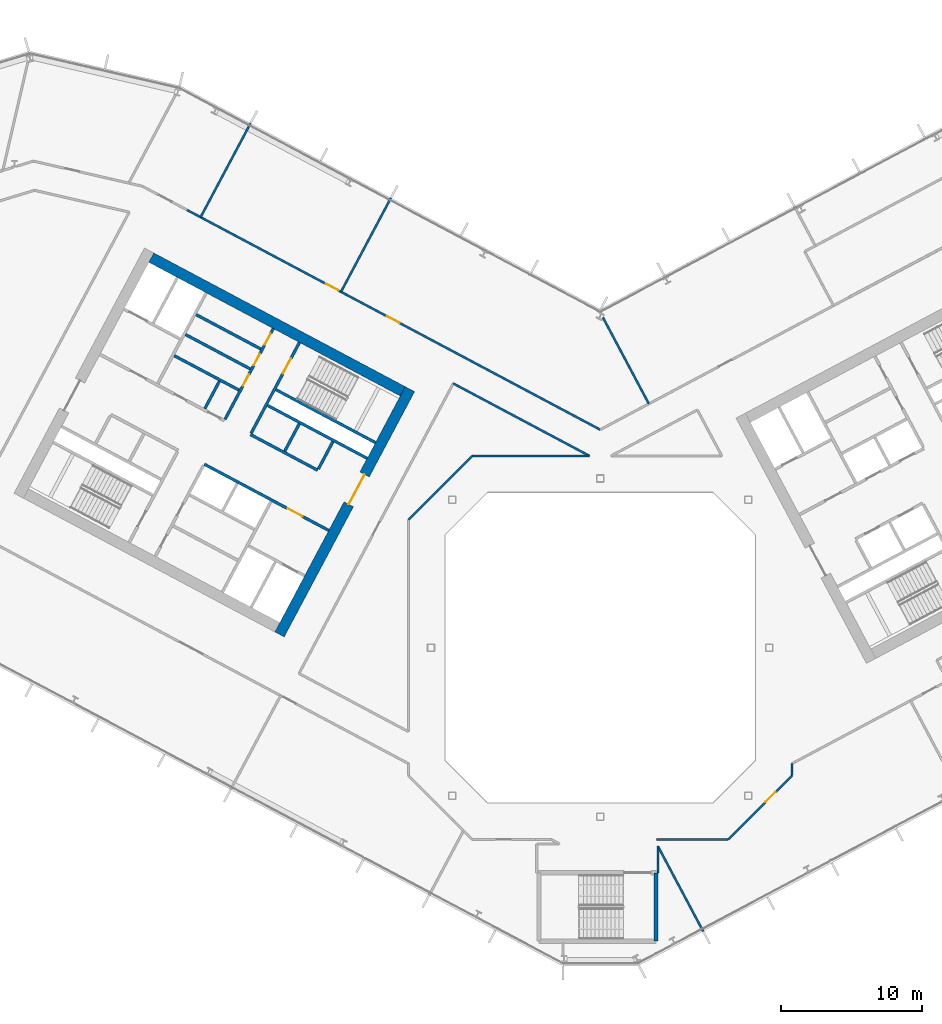
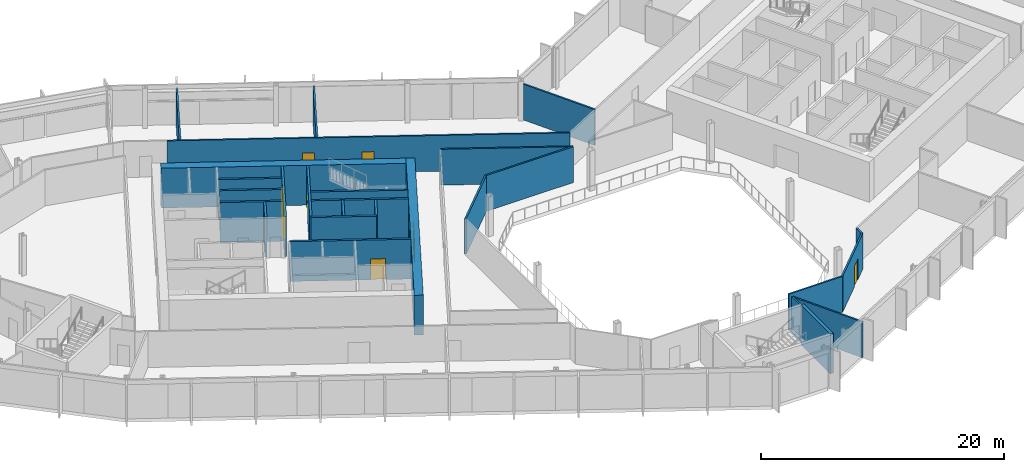
# One storey, part 15 of 28: 27 walls, 9 doors, 9 openings.
"""IFC4 building model written with IfcOpenShell, lengths in metres."""

from ifc_helpers import new_model, si_unit, direction, frame, frame_2d, origin, place, context, subcontext, project, spatial, rectangle, extrude, material, layer, layer_set, type_object, element, fill, save


model = new_model("IFC4")

# Units and contexts
model_context = context("Model", 3, precision=1e-05, world=origin(), true_north=direction((0.0, 1.0)))
body_context = subcontext(model_context, "Body", "Model", "MODEL_VIEW")
ifc_project = project(units=[si_unit("LENGTHUNIT", "METRE"), si_unit("AREAUNIT", "SQUARE_METRE"), si_unit("VOLUMEUNIT", "CUBIC_METRE"), si_unit("PLANEANGLEUNIT", "RADIAN"), si_unit("MASSUNIT", "GRAM", prefix="KILO")], contexts=[model_context])

# Site, building, storey
site_placement = place(None, origin())
site = spatial("IfcSite", under=ifc_project, at=site_placement, CompositionType="ELEMENT")
building_placement = place(site_placement, origin())
building = spatial("IfcBuilding", under=site, at=building_placement, Name="Cormorant Relay Tower", CompositionType="ELEMENT")
storey_placement = place(building_placement, frame((0.0, 0.0, 174.199951171875)))
storey = spatial("IfcBuildingStorey", under=building, at=storey_placement, Name="L37", CompositionType="ELEMENT", Elevation=174.199951171875)

# Walls
ifc_material_1 = material(Name="Concrete 40 MPa", Category="concrete")
ifc_layer_1 = layer(ifc_material_1, 0.199951171875)
ifc_layer_set_1 = layer_set([ifc_layer_1], Name="Core internal wall 200")
wall_type_1 = type_object("IfcWallType", Name="Core internal wall 200", PredefinedType="SOLIDWALL", material=ifc_layer_set_1)
for number, where, z_axis, x_axis, name in (
    (1, (-21.34375, 15.87890625, 0.0), (0.0, 0.0, 1.0), (-0.4694473164, -0.882960484464, 0.0), "L37 core A shaft and room wall"),
    (2, (-27.01220703125, 18.892822265625, 0.0), (0.0, 0.0, 1.0), (-0.4694473164, -0.882960484464, 0.0), "L37 core A shaft and room wall"),
):
    element("IfcWall", number, at=place(storey_placement, frame(where, z_axis=z_axis, x_axis=x_axis)), inside=storey, type_object=wall_type_1, Name=name, PredefinedType="SOLIDWALL", context=body_context, shape_type="SweptSolid", body=[
        extrude(rectangle(XDim=2.199951171875, YDim=0.199951171875, at=frame_2d((1.10009765625, 0.0))), origin(), (0.0, 0.0, 1.0), 4.0),
    ])
for number, where, z_axis, x_axis, name in (
    (3, (-24.073974609375, 21.181396484375, 0.0), (0.0, 0.0, 1.0), (-0.882953967957, 0.469459572775, 0.0), "L37 core A shaft and room wall"),
    (4, (-24.824951171875, 19.7685546875, 0.0), (0.0, 0.0, 1.0), (-0.882934506056, 0.469496174655, 0.0), "L37 core A shaft and room wall"),
):
    element("IfcWall", number, at=place(storey_placement, frame(where, z_axis=z_axis, x_axis=x_axis)), inside=storey, type_object=wall_type_1, Name=name, PredefinedType="SOLIDWALL", context=body_context, shape_type="SweptSolid", body=[
        extrude(rectangle(XDim=5.199951171875, YDim=0.199951171875, at=frame_2d((2.60009765625, 0.0))), origin(), (0.0, 0.0, 1.0), 4.0),
    ])
ifc_material_2 = material(Name="Concrete 50 MPa", Category="concrete")
ifc_layer_2 = layer(ifc_material_2, 0.199951171875)
ifc_layer_set_2 = layer_set([ifc_layer_2], Name="Core shaft wall 200")
wall_type_2 = type_object("IfcWallType", Name="Core shaft wall 200", PredefinedType="SHEAR", material=ifc_layer_set_2)
wall_1_placement = place(storey_placement, frame((-18.959716796875, 14.611328125, 0.0), z_axis=(0.0, 0.0, 1.0), x_axis=(-0.4694473164, -0.882960484464, 0.0)))
element("IfcWall", 5, at=wall_1_placement, inside=storey, type_object=wall_type_2, Name="L37 core A shaft wall", PredefinedType="SHEAR", context=body_context, shape_type="SweptSolid", body=[
    extrude(rectangle(XDim=2.199951171875, YDim=0.199951171875, at=frame_2d((1.10009765625, 0.0))), origin(), (0.0, 0.0, 1.0), 4.0),
])

# Wall, opening, door
wall_2_placement = place(storey_placement, frame((-21.333251953125, 21.6494140625, 0.0), z_axis=(0.0, 0.0, 1.0), x_axis=(-0.469494272526, -0.882935517501, 0.0)))
wall_2 = element("IfcWall", 6, at=wall_2_placement, inside=storey, type_object=wall_type_2, Name="L37 core A shaft wall", PredefinedType="SHEAR", context=body_context, shape_type="SweptSolid", body=[
    extrude(rectangle(XDim=7.2998046875, YDim=0.199951171875, at=frame_2d((3.64990234375, 0.0))), origin(), (0.0, 0.0, 1.0), 4.0),
])
opening_1_placement = place(wall_2_placement, frame((1.300048828125, 0.0, 0.0)))
opening_1 = element("IfcOpeningElement", 7, at=opening_1_placement, cuts=wall_2, Name="Opening CDB-034", PredefinedType="OPENING", context=body_context, shape_type="SweptSolid", body=[
    extrude(rectangle(XDim=1.199951171875, YDim=2.10009765625, at=frame_2d((0.60009765625, 1.050048828125))), frame((0.0, 0.10986328125, 0.0), z_axis=(0.0, -1.0, 0.0), x_axis=(1.0, 0.0, 0.0)), (0.0, 0.0, 1.0), 0.219970703125),
])
ifc_material_3 = material(Name="Steel fire door", Category="steel")
door_type_1 = type_object("IfcDoorType", Name="Core stair door 1200x2100", OperationType="SINGLE_SWING_LEFT", PredefinedType="DOOR", material=ifc_material_3)
door_1_placement = place(opening_1_placement, origin())
door_1 = element("IfcDoor", 8, at=door_1_placement, inside=storey, type_object=door_type_1, Name="Core stair door 1200x2100", OperationType="SINGLE_SWING_RIGHT", OverallHeight=2.10009765625, OverallWidth=1.199951171875, PredefinedType="DOOR", context=body_context, shape_type="SweptSolid", body=[
    extrude(rectangle(XDim=1.199951171875, YDim=2.10009765625, at=frame_2d((0.60009765625, 1.050048828125))), frame((0.0, 0.02490234375, 0.0), z_axis=(0.0, -1.0, 0.0), x_axis=(1.0, 0.0, 0.0)), (0.0, 0.0, 1.0), 0.050048828125),
])
fill(opening_1, door_1)

# Wall, openings, doors
wall_3_placement = place(storey_placement, frame((-23.1875, 22.635498046875, 0.0), z_axis=(0.0, 0.0, 1.0), x_axis=(-0.469454336211, -0.882956752176, 0.0)))
wall_3 = element("IfcWall", 9, at=wall_3_placement, inside=storey, type_object=wall_type_2, Name="L37 core A shaft wall", PredefinedType="SHEAR", context=body_context, shape_type="SweptSolid", body=[
    extrude(rectangle(XDim=7.300048828125, YDim=0.199951171875, at=frame_2d((3.64990234375, 0.0))), origin(), (0.0, 0.0, 1.0), 4.0),
])
opening_2_placement = place(wall_3_placement, frame((0.39990234375, 0.0, 0.0)))
opening_2 = element("IfcOpeningElement", 10, at=opening_2_placement, cuts=wall_3, Name="Opening CDD-174", PredefinedType="OPENING", context=body_context, shape_type="SweptSolid", body=[
    extrude(rectangle(XDim=0.89990234375, YDim=2.10009765625, at=frame_2d((0.449951171875, 1.050048828125))), frame((0.0, 0.10986328125, 0.0), z_axis=(0.0, -1.0, 0.0), x_axis=(1.0, 0.0, 0.0)), (0.0, 0.0, 1.0), 0.219970703125),
])
opening_3_placement = place(wall_3_placement, frame((2.050048828125, 0.0, 0.0)))
opening_3 = element("IfcOpeningElement", 11, at=opening_3_placement, cuts=wall_3, Name="Opening CDD-212", PredefinedType="OPENING", context=body_context, shape_type="SweptSolid", body=[
    extrude(rectangle(XDim=0.89990234375, YDim=2.10009765625, at=frame_2d((0.449951171875, 1.050048828125))), frame((0.0, 0.10986328125, 0.0), z_axis=(0.0, -1.0, 0.0), x_axis=(1.0, 0.0, 0.0)), (0.0, 0.0, 1.0), 0.219970703125),
])
opening_4_placement = place(wall_3_placement, frame((3.699951171875, 0.0, 0.0)))
opening_4 = element("IfcOpeningElement", 12, at=opening_4_placement, cuts=wall_3, Name="Opening CDD-200", PredefinedType="OPENING", context=body_context, shape_type="SweptSolid", body=[
    extrude(rectangle(XDim=0.89990234375, YDim=2.10009765625, at=frame_2d((0.449951171875, 1.050048828125))), frame((0.0, 0.10986328125, 0.0), z_axis=(0.0, -1.0, 0.0), x_axis=(1.0, 0.0, 0.0)), (0.0, 0.0, 1.0), 0.219970703125),
])
ifc_material_4 = material(Name="Steel fire door", Category="steel")
door_type_2 = type_object("IfcDoorType", Name="Core room door 900x2100", OperationType="SINGLE_SWING_LEFT", PredefinedType="DOOR", material=ifc_material_4)
door_2_placement = place(opening_2_placement, origin())
door_2 = element("IfcDoor", 13, at=door_2_placement, inside=storey, type_object=door_type_2, Name="Core room door 900x2100", OperationType="SINGLE_SWING_LEFT", OverallHeight=2.10009765625, OverallWidth=0.89990234375, PredefinedType="DOOR", context=body_context, shape_type="SweptSolid", body=[
    extrude(rectangle(XDim=0.89990234375, YDim=2.10009765625, at=frame_2d((0.449951171875, 1.050048828125))), frame((0.0, 0.02490234375, 0.0), z_axis=(0.0, -1.0, 0.0), x_axis=(1.0, 0.0, 0.0)), (0.0, 0.0, 1.0), 0.050048828125),
])
fill(opening_2, door_2)
door_3_placement = place(opening_3_placement, origin())
door_3 = element("IfcDoor", 14, at=door_3_placement, inside=storey, type_object=door_type_2, Name="Core room door 900x2100", OperationType="SINGLE_SWING_LEFT", OverallHeight=2.10009765625, OverallWidth=0.89990234375, PredefinedType="DOOR", context=body_context, shape_type="SweptSolid", body=[
    extrude(rectangle(XDim=0.89990234375, YDim=2.10009765625, at=frame_2d((0.449951171875, 1.050048828125))), frame((0.0, 0.02490234375, 0.0), z_axis=(0.0, -1.0, 0.0), x_axis=(1.0, 0.0, 0.0)), (0.0, 0.0, 1.0), 0.050048828125),
])
fill(opening_3, door_3)
door_4_placement = place(opening_4_placement, origin())
door_4 = element("IfcDoor", 15, at=door_4_placement, inside=storey, type_object=door_type_2, Name="Core room door 900x2100", OperationType="SINGLE_SWING_LEFT", OverallHeight=2.10009765625, OverallWidth=0.89990234375, PredefinedType="DOOR", context=body_context, shape_type="SweptSolid", body=[
    extrude(rectangle(XDim=0.89990234375, YDim=2.10009765625, at=frame_2d((0.449951171875, 1.050048828125))), frame((0.0, 0.02490234375, 0.0), z_axis=(0.0, -1.0, 0.0), x_axis=(1.0, 0.0, 0.0)), (0.0, 0.0, 1.0), 0.050048828125),
])
fill(opening_4, door_4)

# Walls
wall_4_placement = place(storey_placement, frame((-15.94189453125, 14.53564453125, 0.0), z_axis=(0.0, 0.0, 1.0), x_axis=(-0.882946947542, 0.469472776449, 0.0)))
element("IfcWall", 16, at=wall_4_placement, inside=storey, type_object=wall_type_2, Name="L37 core A shaft wall", PredefinedType="SHEAR", context=body_context, shape_type="SweptSolid", body=[
    extrude(rectangle(XDim=8.000244140625, YDim=0.199951171875, at=frame_2d((4.0, 0.0))), origin(), (0.0, 0.0, 1.0), 4.0),
])
wall_5_placement = place(storey_placement, frame((-16.52880859375, 13.43212890625, 0.0), z_axis=(0.0, 0.0, 1.0), x_axis=(-0.88295287151, 0.469461634952, 0.0)))
element("IfcWall", 17, at=wall_5_placement, inside=storey, type_object=wall_type_2, Name="L37 core A shaft wall", PredefinedType="SHEAR", context=body_context, shape_type="SweptSolid", body=[
    extrude(rectangle(XDim=7.999755859375, YDim=0.199951171875, at=frame_2d((4.0, 0.0))), origin(), (0.0, 0.0, 1.0), 4.0),
])
wall_6_placement = place(storey_placement, frame((-25.623046875, 18.267578125, 0.0), z_axis=(0.0, 0.0, 1.0), x_axis=(-0.882953967957, 0.469459572775, 0.0)))
element("IfcWall", 18, at=wall_6_placement, inside=storey, type_object=wall_type_2, Name="L37 core A shaft wall", PredefinedType="SHEAR", context=body_context, shape_type="SweptSolid", body=[
    extrude(rectangle(XDim=5.199951171875, YDim=0.199951171875, at=frame_2d((2.60009765625, 0.0))), origin(), (0.0, 0.0, 1.0), 4.0),
])
wall_7_placement = place(storey_placement, frame((-20.03955078125, 12.58056640625, 0.0), z_axis=(0.0, 0.0, 1.0), x_axis=(-0.882942972946, 0.469480251476, 0.0)))
element("IfcWall", 19, at=wall_7_placement, inside=storey, type_object=wall_type_2, Name="L37 core A shaft wall", PredefinedType="SHEAR", context=body_context, shape_type="SweptSolid", body=[
    extrude(rectangle(XDim=5.39990234375, YDim=0.199951171875, at=frame_2d((2.699951171875, 0.0))), origin(), (0.0, 0.0, 1.0), 4.0),
])

# Wall, opening, door
wall_8_placement = place(storey_placement, frame((-19.251708984375, 8.31103515625, 0.0), z_axis=(0.0, 0.0, 1.0), x_axis=(-0.882955722218, 0.469456273365, 0.0)))
wall_8 = element("IfcWall", 20, at=wall_8_placement, inside=storey, type_object=wall_type_2, Name="L37 core A shaft wall", PredefinedType="SHEAR", context=body_context, shape_type="SweptSolid", body=[
    extrude(rectangle(XDim=10.0, YDim=0.199951171875, at=frame_2d((5.0, 0.0))), origin(), (0.0, 0.0, 1.0), 4.0),
])
opening_5_placement = place(wall_8_placement, frame((2.10009765625, 0.0, 0.0)))
opening_5 = element("IfcOpeningElement", 21, at=opening_5_placement, cuts=wall_8, Name="Opening CDC-025", PredefinedType="OPENING", context=body_context, shape_type="SweptSolid", body=[
    extrude(rectangle(XDim=1.199951171875, YDim=2.10009765625, at=frame_2d((0.60009765625, 1.050048828125))), frame((0.0, 0.10986328125, 0.0), z_axis=(0.0, -1.0, 0.0), x_axis=(1.0, 0.0, 0.0)), (0.0, 0.0, 1.0), 0.219970703125),
])
ifc_material_5 = material(Name="Steel fire door", Category="steel")
door_type_3 = type_object("IfcDoorType", Name="Core lobby door 1200x2100", OperationType="SINGLE_SWING_LEFT", PredefinedType="DOOR", material=ifc_material_5)
door_5_placement = place(opening_5_placement, origin())
door_5 = element("IfcDoor", 22, at=door_5_placement, inside=storey, type_object=door_type_3, Name="Core lobby door 1200x2100", OperationType="SINGLE_SWING_RIGHT", OverallHeight=2.10009765625, OverallWidth=1.199951171875, PredefinedType="DOOR", context=body_context, shape_type="SweptSolid", body=[
    extrude(rectangle(XDim=1.199951171875, YDim=2.10009765625, at=frame_2d((0.60009765625, 1.050048828125))), frame((0.0, 0.02490234375, 0.0), z_axis=(0.0, -1.0, 0.0), x_axis=(1.0, 0.0, 0.0)), (0.0, 0.0, 1.0), 0.050048828125),
])
fill(opening_5, door_5)

ifc_material_6 = material(Name="Concrete 60 MPa", Category="concrete")
ifc_layer_3 = layer(ifc_material_6, 0.75)
ifc_layer_set_3 = layer_set([ifc_layer_3], Name="Core wall 750")
wall_type_3 = type_object("IfcWallType", Name="Core wall 750", PredefinedType="SHEAR", material=ifc_layer_set_3)
wall_9_placement = place(storey_placement, frame((-13.498291015625, 18.3330078125, 0.0), z_axis=(0.0, 0.0, 1.0), x_axis=(-0.469469918705, -0.88294846703, 0.0)))
wall_9 = element("IfcWall", 23, at=wall_9_placement, inside=storey, type_object=wall_type_3, Name="L37 core A wall", PredefinedType="SHEAR", context=body_context, shape_type="SweptSolid", body=[
    extrude(rectangle(XDim=19.699951171875, YDim=0.75, at=frame_2d((9.85009765625, 0.0))), origin(), (0.0, 0.0, 1.0), 4.0),
])
opening_6_placement = place(wall_9_placement, frame((6.85009765625, 0.0, 0.0)))
opening_6 = element("IfcOpeningElement", 24, at=opening_6_placement, cuts=wall_9, Name="Opening CDA-026", PredefinedType="OPENING", context=body_context, shape_type="SweptSolid", body=[
    extrude(rectangle(XDim=2.39990234375, YDim=2.39990234375, at=frame_2d((1.199951171875, 1.199951171875))), frame((0.0, 0.385009765625, 0.0), z_axis=(0.0, -1.0, 0.0), x_axis=(1.0, 0.0, 0.0)), (0.0, 0.0, 1.0), 0.77001953125),
])
ifc_material_7 = material(Name="Steel fire door", Category="steel")
door_type_4 = type_object("IfcDoorType", Name="Core lobby door 2400x2400", OperationType="DOUBLE_DOOR_SINGLE_SWING", PredefinedType="DOOR", material=ifc_material_7)
door_6_placement = place(opening_6_placement, origin())
door_6 = element("IfcDoor", 25, at=door_6_placement, inside=storey, type_object=door_type_4, Name="Core lobby door 2400x2400", OperationType="DOUBLE_DOOR_SINGLE_SWING", OverallHeight=2.39990234375, OverallWidth=2.39990234375, PredefinedType="DOOR", context=body_context, shape_type="SweptSolid", body=[
    extrude(rectangle(XDim=2.39990234375, YDim=2.39990234375, at=frame_2d((1.199951171875, 1.199951171875))), frame((0.0, 0.02490234375, 0.0), z_axis=(0.0, -1.0, 0.0), x_axis=(1.0, 0.0, 0.0)), (0.0, 0.0, 1.0), 0.050048828125),
])
fill(opening_6, door_6)

# Wall
wall_10_placement = place(storey_placement, frame((-14.00537109375, 18.177978515625, 0.0), z_axis=(0.0, 0.0, 1.0), x_axis=(-0.88295010195, 0.469466843842, 0.0)))
element("IfcWall", 26, at=wall_10_placement, inside=storey, type_object=wall_type_3, Name="L37 core A wall", PredefinedType="SHEAR", context=body_context, shape_type="SweptSolid", body=[
    extrude(rectangle(XDim=20.199951171875, YDim=0.75, at=frame_2d((10.10009765625, 0.0))), origin(), (0.0, 0.0, 1.0), 4.0),
])

# Wall, openings, doors
ifc_material_8 = material(Name="Gypsum board fire partition")
ifc_layer_4 = layer(ifc_material_8, 0.14990234375)
ifc_layer_set_4 = layer_set([ifc_layer_4], Name="Corridor partition 150 EI 60")
wall_type_4 = type_object("IfcWallType", Name="Corridor partition 150 EI 60", PredefinedType="PARTITIONING", material=ifc_layer_set_4)
wall_11_placement = place(storey_placement, frame((-29.302001953125, 31.0400390625, 0.0), z_axis=(0.0, 0.0, 1.0), x_axis=(0.882948500672, -0.469469855433, 0.0)))
wall_11 = element("IfcWall", 27, at=wall_11_placement, inside=storey, type_object=wall_type_4, Name="wall/L37/part/033", PredefinedType="PARTITIONING", context=body_context, shape_type="SweptSolid", body=[
    extrude(rectangle(XDim=33.1865234375, YDim=0.14990234375, at=frame_2d((16.59326171875, 0.0))), origin(), (0.0, 0.0, 1.0), 3.60009765625),
])
opening_7_placement = place(wall_11_placement, frame((16.050048828125, 0.0, 0.0)))
opening_7 = element("IfcOpeningElement", 28, at=opening_7_placement, cuts=wall_11, Name="Opening DS-077", PredefinedType="OPENING", context=body_context, shape_type="SweptSolid", body=[
    extrude(rectangle(XDim=1.0, YDim=2.10009765625, at=frame_2d((0.5, 1.050048828125))), frame((0.0, 0.0849609375, 0.0), z_axis=(0.0, -1.0, 0.0), x_axis=(1.0, 0.0, 0.0)), (0.0, 0.0, 1.0), 0.169921875),
])
opening_8_placement = place(wall_11_placement, frame((11.14990234375, 0.0, 0.0)))
opening_8 = element("IfcOpeningElement", 29, at=opening_8_placement, cuts=wall_11, Name="Opening DS-078", PredefinedType="OPENING", context=body_context, shape_type="SweptSolid", body=[
    extrude(rectangle(XDim=1.0, YDim=2.10009765625, at=frame_2d((0.5, 1.050048828125))), frame((0.0, 0.0849609375, 0.0), z_axis=(0.0, -1.0, 0.0), x_axis=(1.0, 0.0, 0.0)), (0.0, 0.0, 1.0), 0.169921875),
])
ifc_material_9 = material(Name="Timber door leaf", Category="wood")
door_type_5 = type_object("IfcDoorType", Name="Suite door 1000x2100", OperationType="SINGLE_SWING_LEFT", PredefinedType="DOOR", material=ifc_material_9)
door_7_placement = place(opening_7_placement, origin())
door_7 = element("IfcDoor", 30, at=door_7_placement, inside=storey, type_object=door_type_5, Name="door/L37/008", OperationType="SINGLE_SWING_RIGHT", OverallHeight=2.10009765625, OverallWidth=1.0, PredefinedType="DOOR", context=body_context, shape_type="SweptSolid", body=[
    extrude(rectangle(XDim=1.0, YDim=2.10009765625, at=frame_2d((0.5, 1.050048828125))), frame((0.0, 0.02490234375, 0.0), z_axis=(0.0, -1.0, 0.0), x_axis=(1.0, 0.0, 0.0)), (0.0, 0.0, 1.0), 0.050048828125),
])
fill(opening_7, door_7)
door_8_placement = place(opening_8_placement, origin())
door_8 = element("IfcDoor", 31, at=door_8_placement, inside=storey, type_object=door_type_5, Name="door/L37/009", OperationType="SINGLE_SWING_RIGHT", OverallHeight=2.10009765625, OverallWidth=1.0, PredefinedType="DOOR", context=body_context, shape_type="SweptSolid", body=[
    extrude(rectangle(XDim=1.0, YDim=2.10009765625, at=frame_2d((0.5, 1.050048828125))), frame((0.0, 0.02490234375, 0.0), z_axis=(0.0, -1.0, 0.0), x_axis=(1.0, 0.0, 0.0)), (0.0, 0.0, 1.0), 0.050048828125),
])
fill(opening_8, door_8)

# Wall
wall_12_placement = place(storey_placement, frame((13.60009765625, -8.23291015625, 0.0), z_axis=(0.0, 0.0, 1.0), x_axis=(0.0, -1.0, 0.0)))
element("IfcWall", 32, at=wall_12_placement, inside=storey, type_object=wall_type_4, Name="wall/L37/part/050", PredefinedType="PARTITIONING", context=body_context, shape_type="SweptSolid", body=[
    extrude(rectangle(XDim=0.843994140625, YDim=0.14990234375, at=frame_2d((0.421875, 0.0))), origin(), (0.0, 0.0, 1.0), 3.60009765625),
])

# Wall, opening, door
wall_13_placement = place(storey_placement, frame((13.60009765625, -9.076904296875, 0.0), z_axis=(0.0, 0.0, 1.0), x_axis=(-0.707106781187, -0.707106781187, 0.0)))
wall_13 = element("IfcWall", 33, at=wall_13_placement, inside=storey, type_object=wall_type_4, Name="wall/L37/part/051", PredefinedType="PARTITIONING", context=body_context, shape_type="SweptSolid", body=[
    extrude(rectangle(XDim=6.396728515625, YDim=0.14990234375, at=frame_2d((3.1982421875, 0.0))), origin(), (0.0, 0.0, 1.0), 3.60009765625),
])
opening_9_placement = place(wall_13_placement, frame((1.64990234375, 0.0, 0.0)))
opening_9 = element("IfcOpeningElement", 34, at=opening_9_placement, cuts=wall_13, Name="Opening DS-074", PredefinedType="OPENING", context=body_context, shape_type="SweptSolid", body=[
    extrude(rectangle(XDim=1.0, YDim=2.10009765625, at=frame_2d((0.5, 1.050048828125))), frame((0.0, 0.0849609375, 0.0), z_axis=(0.0, -1.0, 0.0), x_axis=(1.0, 0.0, 0.0)), (0.0, 0.0, 1.0), 0.169921875),
])
door_9_placement = place(opening_9_placement, origin())
door_9 = element("IfcDoor", 35, at=door_9_placement, inside=storey, type_object=door_type_5, Name="door/L37/003", OperationType="SINGLE_SWING_LEFT", OverallHeight=2.10009765625, OverallWidth=1.0, PredefinedType="DOOR", context=body_context, shape_type="SweptSolid", body=[
    extrude(rectangle(XDim=1.0, YDim=2.10009765625, at=frame_2d((0.5, 1.050048828125))), frame((0.0, 0.02490234375, 0.0), z_axis=(0.0, -1.0, 0.0), x_axis=(1.0, 0.0, 0.0)), (0.0, 0.0, 1.0), 0.050048828125),
])
fill(opening_9, door_9)

# Walls
wall_14_placement = place(storey_placement, frame((9.076904296875, -13.60009765625, 0.0), z_axis=(0.0, 0.0, 1.0), x_axis=(-1.0, 0.0, 0.0)))
element("IfcWall", 36, at=wall_14_placement, inside=storey, type_object=wall_type_4, Name="wall/L37/part/052", PredefinedType="PARTITIONING", context=body_context, shape_type="SweptSolid", body=[
    extrude(rectangle(XDim=5.077880859375, YDim=0.14990234375, at=frame_2d((2.5390625, 0.0))), origin(), (0.0, 0.0, 1.0), 3.60009765625),
])
wall_15_placement = place(storey_placement, frame((4.10009765625, -14.083984375, 0.0), z_axis=(0.0, 0.0, 1.0), x_axis=(0.0, -1.0, 0.0)))
element("IfcWall", 37, at=wall_15_placement, inside=storey, type_object=wall_type_4, Name="wall/L37/part/053", PredefinedType="PARTITIONING", context=body_context, shape_type="SweptSolid", body=[
    extrude(rectangle(XDim=1.89111328125, YDim=0.14990234375, at=frame_2d((0.945556640625, 0.0))), origin(), (0.0, 0.0, 1.0), 3.60009765625),
])
wall_16_placement = place(storey_placement, frame((-10.424072265625, 18.737060546875, 0.0), z_axis=(0.0, 0.0, 1.0), x_axis=(0.88294579514, -0.469474943787, 0.0)))
element("IfcWall", 38, at=wall_16_placement, inside=storey, type_object=wall_type_4, Name="wall/L37/part/077", PredefinedType="PARTITIONING", context=body_context, shape_type="SweptSolid", body=[
    extrude(rectangle(XDim=10.94189453125, YDim=0.14990234375, at=frame_2d((5.470947265625, 0.0))), origin(), (0.0, 0.0, 1.0), 3.60009765625),
])
wall_17_placement = place(storey_placement, frame((-0.762939453125, 13.60009765625, 0.0), z_axis=(0.0, 0.0, 1.0), x_axis=(-1.0, 0.0, 0.0)))
element("IfcWall", 39, at=wall_17_placement, inside=storey, type_object=wall_type_4, Name="wall/L37/part/078", PredefinedType="PARTITIONING", context=body_context, shape_type="SweptSolid", body=[
    extrude(rectangle(XDim=8.31396484375, YDim=0.14990234375, at=frame_2d((4.156982421875, 0.0))), origin(), (0.0, 0.0, 1.0), 3.60009765625),
])
wall_18_placement = place(storey_placement, frame((-9.076904296875, 13.60009765625, 0.0), z_axis=(0.0, 0.0, 1.0), x_axis=(-0.707106781187, -0.707106781187, 0.0)))
element("IfcWall", 40, at=wall_18_placement, inside=storey, type_object=wall_type_4, Name="wall/L37/part/079", PredefinedType="PARTITIONING", context=body_context, shape_type="SweptSolid", body=[
    extrude(rectangle(XDim=6.396728515625, YDim=0.14990234375, at=frame_2d((3.1982421875, 0.0))), origin(), (0.0, 0.0, 1.0), 3.60009765625),
])
ifc_material_10 = material(Name="Concrete 50 MPa", Category="concrete")
ifc_layer_5 = layer(ifc_material_10, 0.300048828125)
ifc_layer_set_5 = layer_set([ifc_layer_5], Name="Remote stair wall 300")
wall_type_5 = type_object("IfcWallType", Name="Remote stair wall 300", PredefinedType="SHEAR", material=ifc_layer_set_5)
wall_19_placement = place(storey_placement, frame((3.949951171875, -15.97509765625, 0.0), z_axis=(0.0, 0.0, 1.0), x_axis=(0.0, -1.0, 0.0)))
element("IfcWall", 41, at=wall_19_placement, inside=storey, type_object=wall_type_5, Name="L37 exit stair RK1 wall", PredefinedType="SHEAR", context=body_context, shape_type="SweptSolid", body=[
    extrude(rectangle(XDim=4.849853515625, YDim=0.300048828125, at=frame_2d((2.4248046875, 0.0))), origin(), (0.0, 0.0, 1.0), 4.0),
])
ifc_material_11 = material(Name="Gypsum board partition")
ifc_layer_6 = layer(ifc_material_11, 0.14990234375)
ifc_layer_set_6 = layer_set([ifc_layer_6], Name="Tenant partition 150")
wall_type_6 = type_object("IfcWallType", Name="Tenant partition 150", PredefinedType="PARTITIONING", material=ifc_layer_set_6)
for number, where, z_axis, x_axis, name in (
    (42, (-24.800048828125, 37.197021484375, 0.0), (0.0, 0.0, 1.0), (-0.469527165858, -0.882918025935, 0.0), "wall/L37/part/035"),
    (43, (-14.843994140625, 31.903076171875, 0.0), (0.0, 0.0, 1.0), (-0.469271860983, -0.883053747226, 0.0), "wall/L37/part/036"),
):
    element("IfcWall", number, at=place(storey_placement, frame(where, z_axis=z_axis, x_axis=x_axis)), inside=storey, type_object=wall_type_6, Name=name, PredefinedType="PARTITIONING", context=body_context, shape_type="SweptSolid", body=[
        extrude(rectangle(XDim=7.550048828125, YDim=0.14990234375, at=frame_2d((3.77490234375, 0.0))), origin(), (0.0, 0.0, 1.0), 3.60009765625),
    ])
wall_20_placement = place(storey_placement, frame((0.19091796875, 23.422119140625, 0.0), z_axis=(0.0, 0.0, 1.0), x_axis=(0.46954180368, -0.882910241529, 0.0)))
element("IfcWall", 44, at=wall_20_placement, inside=storey, type_object=wall_type_6, Name="wall/L37/part/037", PredefinedType="PARTITIONING", context=body_context, shape_type="SweptSolid", body=[
    extrude(rectangle(XDim=6.94091796875, YDim=0.14990234375, at=frame_2d((3.470458984375, 0.0))), origin(), (0.0, 0.0, 1.0), 3.60009765625),
])
wall_21_placement = place(storey_placement, frame((7.303955078125, -20.126953125, 0.0), z_axis=(0.0, 0.0, 1.0), x_axis=(-0.469394067071, 0.882988793699, 0.0)))
element("IfcWall", 45, at=wall_21_placement, inside=storey, type_object=wall_type_6, Name="wall/L37/part/054", PredefinedType="PARTITIONING", context=body_context, shape_type="SweptSolid", body=[
    extrude(rectangle(XDim=6.825439453125, YDim=0.14990234375, at=frame_2d((3.41259765625, 0.0))), origin(), (0.0, 0.0, 1.0), 3.60009765625),
])

save(model, "model.ifc")
